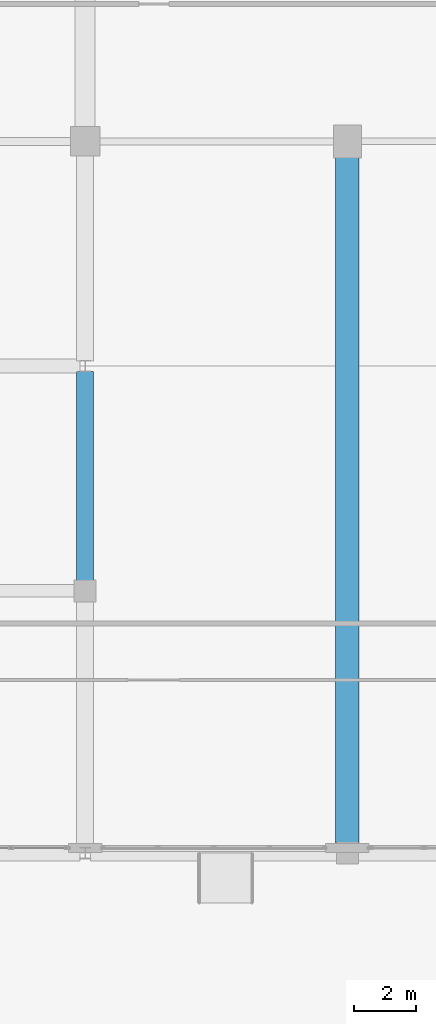
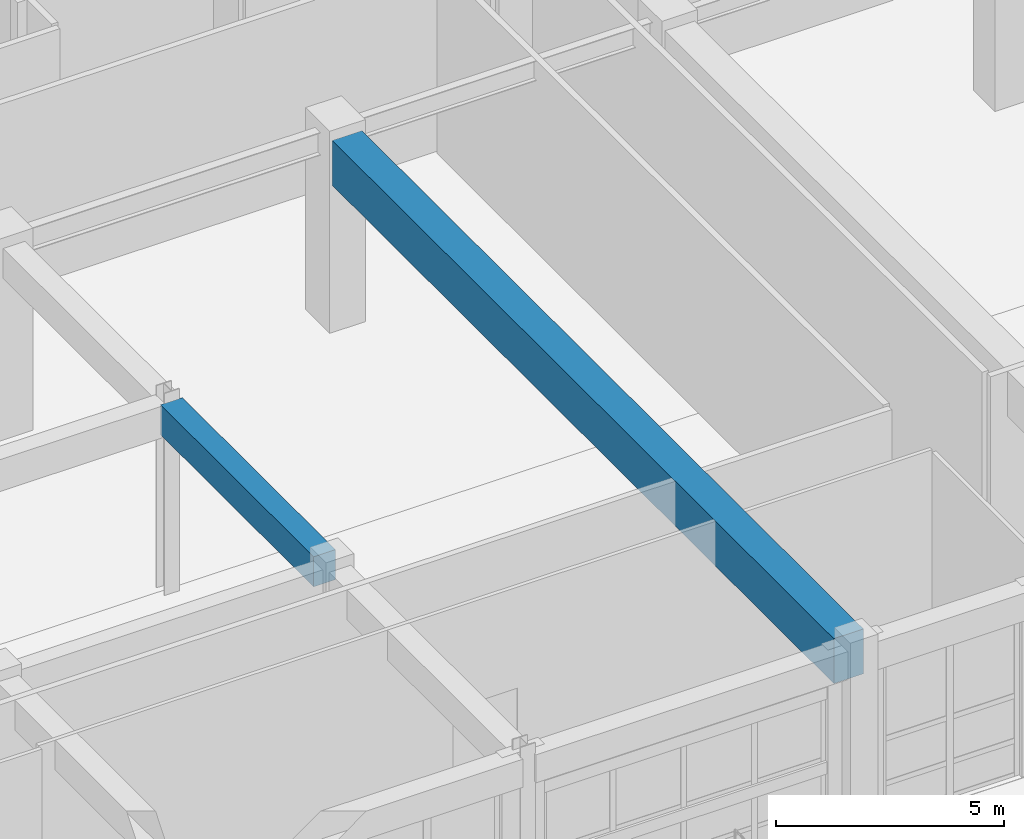
# One storey, part 50 of 148: 2 beams.
"""IFC4 building model written with IfcOpenShell, lengths in metres."""

from ifc_helpers import new_model, si_unit, direction, frame, origin, origin_2d, place, context, subcontext, project, spatial, rectangle, extrude, material, material_profile, profile_set, type_object, element, save


model = new_model("IFC4")

# Units and contexts
model_context = context("Model", 3, precision=1e-05, world=origin(), true_north=direction((0.0, 1.0)))
body_context = subcontext(model_context, "Body", "Model", "MODEL_VIEW")
ifc_project = project(units=[si_unit("LENGTHUNIT", "METRE"), si_unit("AREAUNIT", "SQUARE_METRE"), si_unit("VOLUMEUNIT", "CUBIC_METRE"), si_unit("PLANEANGLEUNIT", "RADIAN"), si_unit("MASSUNIT", "GRAM", prefix="KILO")], contexts=[model_context])

# Site, building, storey
site_placement = place(None, origin())
site = spatial("IfcSite", under=ifc_project, at=site_placement, CompositionType="ELEMENT")
building_placement = place(site_placement, origin())
building = spatial("IfcBuilding", under=site, at=building_placement, Name="Quendrovan Civic Courthouse", CompositionType="ELEMENT")
storey_placement = place(building_placement, origin())
storey = spatial("IfcBuildingStorey", under=building, at=storey_placement, Name="L01", CompositionType="ELEMENT", Elevation=0.0)

# Beams
ifc_material_1 = material(Name="Post-tensioned concrete C50/60", Category="concrete")
ifc_material_profile_1 = material_profile(ifc_material_1, rectangle(XDim=0.75, YDim=1.199951171875, at=origin_2d()), Name="PT-GIRD-750x1200")
ifc_profile_set_1 = profile_set([ifc_material_profile_1], Name="Post-tensioned concrete C50/60")
beam_type_1 = type_object("IfcBeamType", Name="BM-PT1200", PredefinedType="BEAM", material=ifc_profile_set_1)
beam_1_placement = place(storey_placement, frame((58.800048828125, 65.1298828125, 4.52001953125), z_axis=(0.0, 1.0, 0.0), x_axis=(-1.0, 0.0, 0.0)))
element("IfcBeam", 1, at=beam_1_placement, inside=storey, type_object=beam_type_1, Name="L01 Girder Y0424", PredefinedType="BEAM", context=body_context, shape_type="SweptSolid", body=[
    extrude(rectangle(XDim=0.75, YDim=1.199951171875, at=origin_2d()), origin(), (0.0, 0.0, 1.0), 21.965087890625),
])
ifc_material_2 = material(Name="Concrete C40/50", Category="concrete")
ifc_material_profile_2 = material_profile(ifc_material_2, rectangle(XDim=0.550048828125, YDim=0.800048828125, at=origin_2d()), Name="RC-BM-550x800")
ifc_profile_set_2 = profile_set([ifc_material_profile_2], Name="Concrete C40/50")
beam_type_2 = type_object("IfcBeamType", Name="BM-RC800", PredefinedType="BEAM", material=ifc_profile_set_2)
beam_2_placement = place(storey_placement, frame((50.39990234375, 73.530029296875, 4.719970703125), z_axis=(0.0, 1.0, 0.0), x_axis=(-1.0, 0.0, 0.0)))
element("IfcBeam", 2, at=beam_2_placement, inside=storey, type_object=beam_type_2, Name="L01 Girder Y0418", PredefinedType="BEAM", context=body_context, shape_type="SweptSolid", body=[
    extrude(rectangle(XDim=0.550048828125, YDim=0.800048828125, at=origin_2d()), origin(), (0.0, 0.0, 1.0), 6.703857421875),
])

save(model, "model.ifc")
